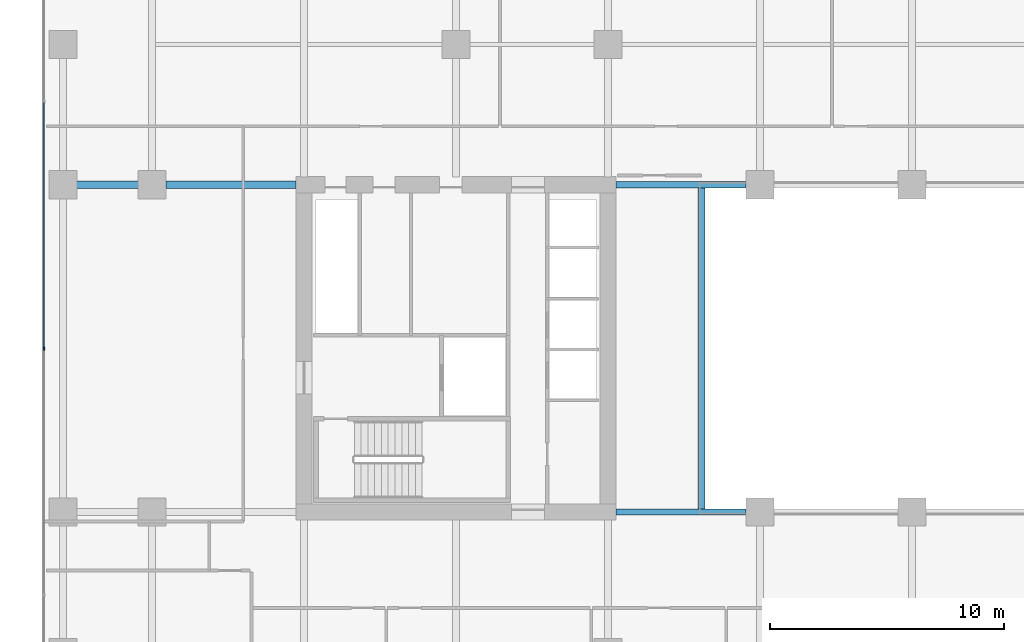
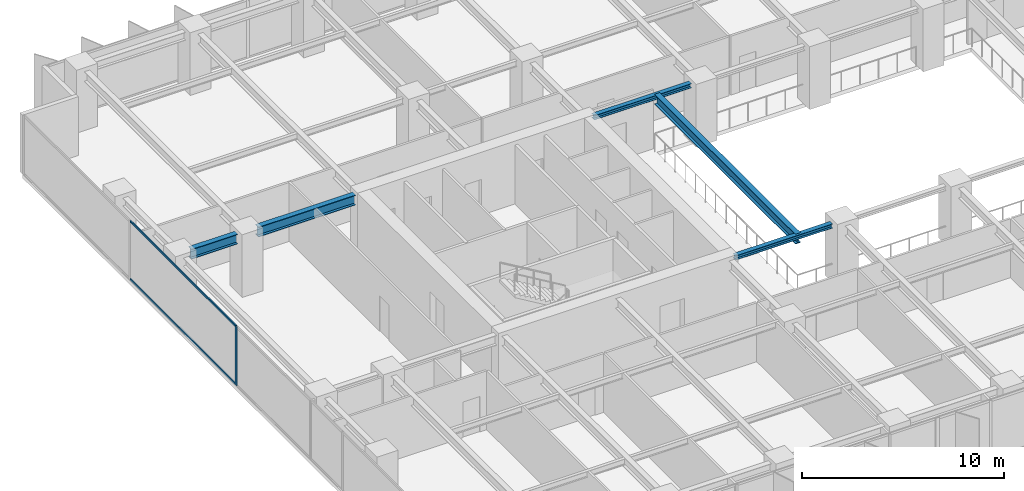
# One storey, part 4 of 20: 5 beams, 3 members, 1 element without a shape of its own.
"""IFC4 building model written with IfcOpenShell, lengths in metres."""

from ifc_helpers import new_model, si_unit, direction, frame, origin, origin_2d, place, context, subcontext, project, spatial, rectangle, i_section, extrude, material, layer, layer_set, material_profile, profile_set, type_object, element, aggregate, save


model = new_model("IFC4")

# Units and contexts
model_context = context("Model", 3, precision=1e-05, world=origin(), true_north=direction((0.0, 1.0)))
body_context = subcontext(model_context, "Body", "Model", "MODEL_VIEW")
ifc_project = project(units=[si_unit("LENGTHUNIT", "METRE"), si_unit("AREAUNIT", "SQUARE_METRE"), si_unit("VOLUMEUNIT", "CUBIC_METRE"), si_unit("PLANEANGLEUNIT", "RADIAN"), si_unit("MASSUNIT", "GRAM", prefix="KILO")], contexts=[model_context])

# Site, building, storey
site_placement = place(None, origin())
site = spatial("IfcSite", under=ifc_project, at=site_placement, CompositionType="ELEMENT")
building_placement = place(site_placement, origin())
building = spatial("IfcBuilding", under=site, at=building_placement, Name="Putna Gate Headquarters", CompositionType="ELEMENT")
storey_placement = place(building_placement, frame((0.0, 0.0, 101.199951171875)))
storey = spatial("IfcBuildingStorey", under=building, at=storey_placement, Name="L24", CompositionType="ELEMENT", Elevation=101.199951171875)

# Beams
ifc_material_1 = material(Name="Steel S355J2", Category="steel")
ifc_material_profile_1 = material_profile(ifc_material_1, i_section(OverallWidth=0.260009765625, OverallDepth=0.260009765625, WebThickness=0.010009765625, FlangeThickness=0.017578125, at=origin_2d()), Name="Steel S355J2")
ifc_profile_set_1 = profile_set([ifc_material_profile_1], Name="Steel S355J2")
beam_type_1 = type_object("IfcBeamType", Name="BM-ATRIUM-HEB260", PredefinedType="BEAM", material=ifc_profile_set_1)
for number, where, z_axis, x_axis, name in (
    (1, (26.3349609375, 19.0, 3.43505859375), (1.0, 0.0, 0.0), (0.0, 1.0, 0.0), "L24 Atrium Edge Beam AS1"),
    (2, (26.3349609375, 33.0, 3.43505859375), (1.0, 0.0, 0.0), (0.0, 1.0, 0.0), "L24 Atrium Edge Beam AN1"),
):
    element("IfcBeam", number, at=place(storey_placement, frame(where, z_axis=z_axis, x_axis=x_axis)), inside=storey, type_object=beam_type_1, Name=name, PredefinedType="BEAM", context=body_context, shape_type="SweptSolid", body=[
        extrude(i_section(OverallWidth=0.260009765625, OverallDepth=0.260009765625, WebThickness=0.010009765625, FlangeThickness=0.017578125, at=origin_2d()), origin(), (0.0, 0.0, 1.0), 5.5771484375),
    ])
ifc_material_profile_2 = material_profile(ifc_material_1, i_section(OverallWidth=0.300048828125, OverallDepth=0.60009765625, WebThickness=0.015380859375, FlangeThickness=0.030029296875, at=origin_2d()), Name="Steel S355J2")
ifc_profile_set_2 = profile_set([ifc_material_profile_2], Name="Steel S355J2")
beam_type_2 = type_object("IfcBeamType", Name="BM-GIRD-Z2-HEB600", PredefinedType="USERDEFINED", material=ifc_profile_set_2)
beam_1_placement = place(storey_placement, frame((3.26806640625, 33.0, 3.26513671875), z_axis=(1.0, 0.0, 0.0), x_axis=(0.0, 1.0, 0.0)))
element("IfcBeam", 3, at=beam_1_placement, inside=storey, type_object=beam_type_2, Name="L24 West Wing Girder Y33-1", ObjectType="GIRDER", PredefinedType="USERDEFINED", context=body_context, shape_type="SweptSolid", body=[
    extrude(i_section(OverallWidth=0.300048828125, OverallDepth=0.60009765625, WebThickness=0.015380859375, FlangeThickness=0.030029296875, at=origin_2d()), origin(), (0.0, 0.0, 1.0), 2.64404296875),
])
beam_2_placement = place(storey_placement, frame((7.087890625, 33.0, 3.26513671875), z_axis=(1.0, 0.0, 0.0), x_axis=(0.0, 1.0, 0.0)))
element("IfcBeam", 4, at=beam_2_placement, inside=storey, type_object=beam_type_2, Name="L24 West Wing Girder Y33-2", ObjectType="GIRDER", PredefinedType="USERDEFINED", context=body_context, shape_type="SweptSolid", body=[
    extrude(i_section(OverallWidth=0.300048828125, OverallDepth=0.60009765625, WebThickness=0.015380859375, FlangeThickness=0.030029296875, at=origin_2d()), origin(), (0.0, 0.0, 1.0), 5.5771484375),
])
beam_3_placement = place(storey_placement, frame((30.0, 19.010009765625, 3.26513671875), z_axis=(0.0, 1.0, 0.0), x_axis=(-1.0, 0.0, 0.0)))
element("IfcBeam", 5, at=beam_3_placement, inside=storey, type_object=beam_type_2, Name="L24 Atrium Trim Girder AW", ObjectType="GIRDER", PredefinedType="USERDEFINED", context=body_context, shape_type="SweptSolid", body=[
    extrude(i_section(OverallWidth=0.300048828125, OverallDepth=0.60009765625, WebThickness=0.015380859375, FlangeThickness=0.030029296875, at=origin_2d()), origin(), (0.0, 0.0, 1.0), 13.97998046875),
])

# Curtain wall, members
ifc_material_2 = material(Name="Anodised bronze aluminium curtain wall", Category="aluminium")
ifc_layer = layer(ifc_material_2, 0.159912109375)
ifc_layer_set = layer_set([ifc_layer], Name="Anodised bronze aluminium curtain wall")
curtain_wall_type = type_object("IfcCurtainWallType", Name="CW-SYS-Z2", PredefinedType="USERDEFINED", material=ifc_layer_set)
curtain_wall_placement = place(storey_placement, origin())
curtain_wall = element("IfcCurtainWall", 6, at=curtain_wall_placement, inside=storey, type_object=curtain_wall_type, Name="L24 West Curtain Wall", ObjectType="STICK CURTAIN WALL", PredefinedType="USERDEFINED")
ifc_material_3 = material(Name="Anodised bronze aluminium EN AW-6060", Category="aluminium")
ifc_material_profile_3 = material_profile(ifc_material_3, rectangle(XDim=0.06494140625, YDim=0.159912109375, at=origin_2d()), Name="Anodised bronze aluminium EN AW-6060")
ifc_profile_set_3 = profile_set([ifc_material_profile_3], Name="Anodised bronze aluminium EN AW-6060")
member_type_1 = type_object("IfcMemberType", Name="MULL-CWM-2", PredefinedType="MULLION", material=ifc_profile_set_3)
member_1_placement = place(storey_placement, frame((1.8798828125, 26.0, 0.0), z_axis=(0.0, 0.0, 1.0), x_axis=(-1.0, 0.0, 0.0)))
member_1 = element("IfcMember", 7, at=member_1_placement, type_object=member_type_1, Name="CWS-2 mullion 3", PredefinedType="MULLION", context=body_context, shape_type="SweptSolid", body=[
    extrude(rectangle(XDim=0.06494140625, YDim=0.159912109375, at=origin_2d()), origin(), (0.0, 0.0, 1.0), 3.56494140625),
])
ifc_material_profile_4 = material_profile(ifc_material_3, rectangle(XDim=0.06494140625, YDim=0.1201171875, at=origin_2d()), Name="Anodised bronze aluminium EN AW-6060")
ifc_profile_set_4 = profile_set([ifc_material_profile_4], Name="Anodised bronze aluminium EN AW-6060")
member_type_2 = type_object("IfcMemberType", Name="TRAN-CWT-2", PredefinedType="USERDEFINED", material=ifc_profile_set_4)
member_2_placement = place(storey_placement, frame((1.8798828125, 26.032470703125, 0.032470703125), z_axis=(0.0, 1.0, 0.0), x_axis=(-1.0, 0.0, 0.0)))
member_2 = element("IfcMember", 8, at=member_2_placement, type_object=member_type_2, Name="CWS-2 transom 3.1", ObjectType="TRANSOM", PredefinedType="USERDEFINED", context=body_context, shape_type="SweptSolid", body=[
    extrude(rectangle(XDim=0.06494140625, YDim=0.1201171875, at=origin_2d()), origin(), (0.0, 0.0, 1.0), 10.485107421875),
])
member_3_placement = place(storey_placement, frame((1.8798828125, 26.032470703125, 3.532470703125), z_axis=(0.0, 1.0, 0.0), x_axis=(-1.0, 0.0, 0.0)))
member_3 = element("IfcMember", 9, at=member_3_placement, type_object=member_type_2, Name="CWS-2 transom 3.2", ObjectType="TRANSOM", PredefinedType="USERDEFINED", context=body_context, shape_type="SweptSolid", body=[
    extrude(rectangle(XDim=0.06494140625, YDim=0.1201171875, at=origin_2d()), origin(), (0.0, 0.0, 1.0), 10.485107421875),
])
aggregate(curtain_wall, [member_1, member_2, member_3])

save(model, "model.ifc")
